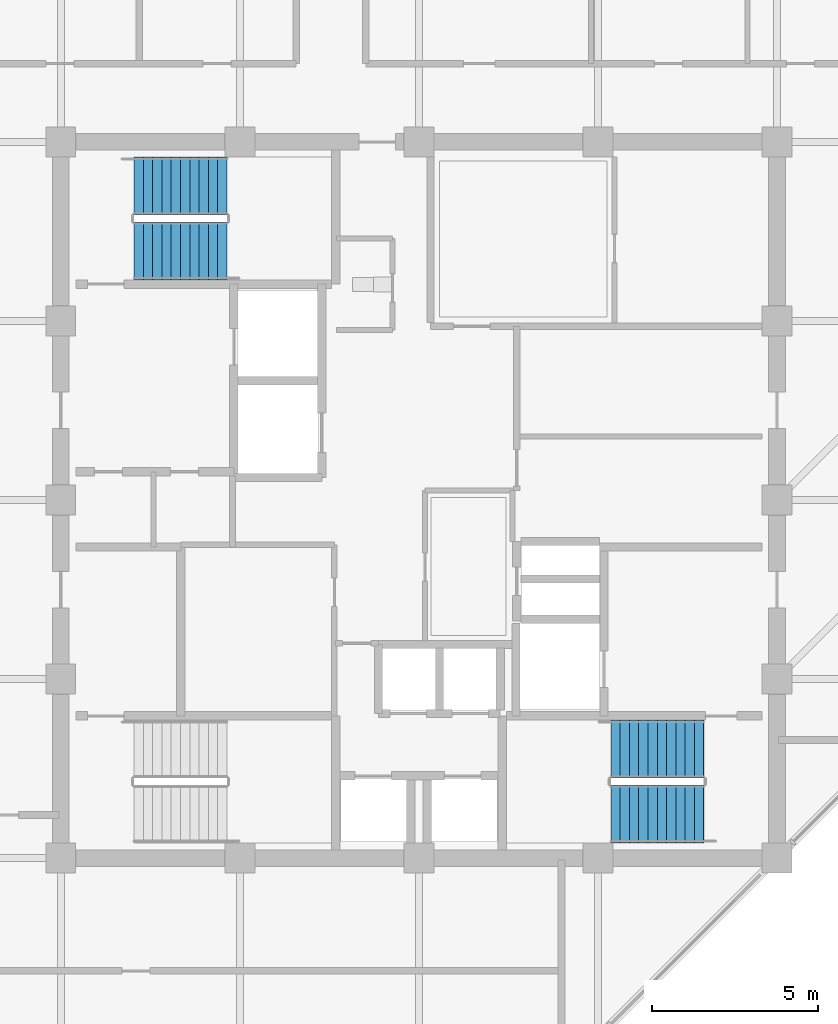
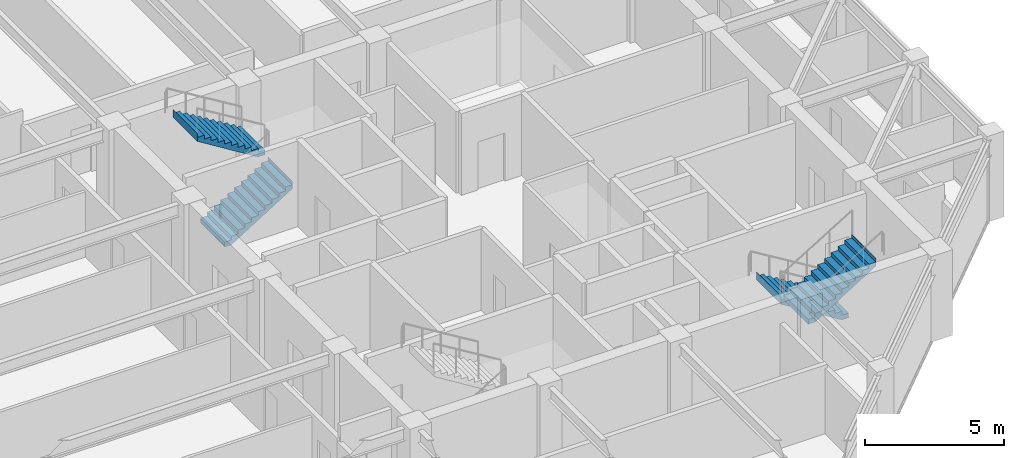
# One storey, part 29 of 31: 4 stair flights, 2 elements without a shape of their own.
"""IFC4 building model written with IfcOpenShell, lengths in metres."""

from ifc_helpers import new_model, si_unit, direction, frame, origin, place, context, subcontext, project, spatial, polyline, outline, extrude, material, type_object, element, aggregate, save


model = new_model("IFC4")

# Units and contexts
model_context = context("Model", 3, precision=1e-05, world=origin(), true_north=direction((0.0, 1.0)))
body_context = subcontext(model_context, "Body", "Model", "MODEL_VIEW")
ifc_project = project(units=[si_unit("LENGTHUNIT", "METRE"), si_unit("AREAUNIT", "SQUARE_METRE"), si_unit("VOLUMEUNIT", "CUBIC_METRE"), si_unit("PLANEANGLEUNIT", "RADIAN"), si_unit("MASSUNIT", "GRAM", prefix="KILO")], contexts=[model_context])

# Site, building, storey
site_placement = place(None, origin())
site = spatial("IfcSite", under=ifc_project, at=site_placement, CompositionType="ELEMENT")
building_placement = place(site_placement, origin())
building = spatial("IfcBuilding", under=site, at=building_placement, Name="Surkhivell Harbour Commons", CompositionType="ELEMENT")
storey_placement = place(building_placement, frame((0.0, 0.0, 288.75)))
storey = spatial("IfcBuildingStorey", under=building, at=storey_placement, Name="L75", CompositionType="ELEMENT", Elevation=288.75)

# Stair, stair flights
ifc_material = material(Name="Precast concrete C45/55", Category="concrete")
stair_type = type_object("IfcStairType", Name="STR-DL-375", PredefinedType="HALF_TURN_STAIR", material=ifc_material)
stair_1_placement = place(storey_placement, origin())
stair_1 = element("IfcStair", 1, at=stair_1_placement, inside=storey, type_object=stair_type, Name="L75 Core Exit Stair ST1", PredefinedType="HALF_TURN_STAIR")
stair_flight_type = type_object("IfcStairFlightType", Name="STF-DL-375", PredefinedType="STRAIGHT", material=ifc_material)
stair_flight_1_placement = place(storey_placement, frame((-8.590087890625, 7.514892578125, 0.0), z_axis=(0.0, 0.0, 1.0), x_axis=(1.0, 0.0, 0.0)))
stair_flight_1 = element("IfcStairFlight", 2, at=stair_flight_1_placement, type_object=stair_flight_type, Name="ST1 flight 1", NumberOfRisers=11, NumberOfTreads=10, PredefinedType="STRAIGHT", RiserHeight=0.170454545, TreadLength=0.28, context=body_context, shape_type="SweptSolid", body=[
    extrude(outline(polyline([(-0.0029296875, -0.034912109375), (-0.0029296875, 0.0), (0.0, 0.0), (0.0, 0.17041015625), (0.280029296875, 0.17041015625), (0.280029296875, 0.3408203125), (0.56005859375, 0.3408203125), (0.56005859375, 0.511474609375), (0.840087890625, 0.511474609375), (0.840087890625, 0.681884765625), (1.1201171875, 0.681884765625), (1.1201171875, 0.852294921875), (1.39990234375, 0.852294921875), (1.39990234375, 1.022705078125), (1.679931640625, 1.022705078125), (1.679931640625, 1.193115234375), (1.9599609375, 1.193115234375), (1.9599609375, 1.363525390625), (2.239990234375, 1.363525390625), (2.239990234375, 1.5341796875), (2.52001953125, 1.5341796875), (2.52001953125, 1.70458984375), (2.800048828125, 1.70458984375), (2.800048828125, 1.875), (2.802978515625, 1.875), (2.802978515625, 1.529052734375), (0.288330078125, -0.034912109375), (-0.0029296875, -0.034912109375)])), frame((0.0, 0.875, 0.0), z_axis=(0.0, -1.0, 0.0), x_axis=(1.0, 0.0, 0.0)), (0.0, 0.0, 1.0), 1.75),
])
stair_flight_2_placement = place(storey_placement, frame((-5.7900390625, 9.465087890625, 1.875), z_axis=(0.0, 0.0, 1.0), x_axis=(-1.0, 0.0, 0.0)))
stair_flight_2 = element("IfcStairFlight", 3, at=stair_flight_2_placement, type_object=stair_flight_type, Name="ST1 flight 2", NumberOfRisers=11, NumberOfTreads=10, PredefinedType="STRAIGHT", RiserHeight=0.170454545, TreadLength=0.28, context=body_context, shape_type="SweptSolid", body=[
    extrude(outline(polyline([(-0.0029296875, -0.034912109375), (-0.0029296875, 0.0), (0.0, 0.0), (0.0, 0.17041015625), (0.280029296875, 0.17041015625), (0.280029296875, 0.3408203125), (0.56005859375, 0.3408203125), (0.56005859375, 0.511474609375), (0.840087890625, 0.511474609375), (0.840087890625, 0.681884765625), (1.1201171875, 0.681884765625), (1.1201171875, 0.852294921875), (1.39990234375, 0.852294921875), (1.39990234375, 1.022705078125), (1.679931640625, 1.022705078125), (1.679931640625, 1.193115234375), (1.9599609375, 1.193115234375), (1.9599609375, 1.363525390625), (2.239990234375, 1.363525390625), (2.239990234375, 1.5341796875), (2.52001953125, 1.5341796875), (2.52001953125, 1.70458984375), (2.800048828125, 1.70458984375), (2.800048828125, 1.875), (2.802978515625, 1.875), (2.802978515625, 1.529052734375), (0.288330078125, -0.034912109375), (-0.0029296875, -0.034912109375)])), frame((0.0, 0.875, 0.0), z_axis=(0.0, -1.0, 0.0), x_axis=(1.0, 0.0, 0.0)), (0.0, 0.0, 1.0), 1.75),
])
aggregate(stair_1, [stair_flight_1, stair_flight_2])

stair_2_placement = place(storey_placement, origin())
stair_2 = element("IfcStair", 4, at=stair_2_placement, inside=storey, type_object=stair_type, Name="L75 Core Exit Stair ST2", PredefinedType="HALF_TURN_STAIR")
stair_flight_3_placement = place(storey_placement, frame((8.590087890625, -7.514892578125, 0.0), z_axis=(0.0, 0.0, 1.0), x_axis=(-1.0, 0.0, 0.0)))
stair_flight_3 = element("IfcStairFlight", 5, at=stair_flight_3_placement, type_object=stair_flight_type, Name="ST2 flight 1", NumberOfRisers=11, NumberOfTreads=10, PredefinedType="STRAIGHT", RiserHeight=0.170454545, TreadLength=0.28, context=body_context, shape_type="SweptSolid", body=[
    extrude(outline(polyline([(-0.0029296875, -0.034912109375), (-0.0029296875, 0.0), (0.0, 0.0), (0.0, 0.17041015625), (0.280029296875, 0.17041015625), (0.280029296875, 0.3408203125), (0.56005859375, 0.3408203125), (0.56005859375, 0.511474609375), (0.840087890625, 0.511474609375), (0.840087890625, 0.681884765625), (1.1201171875, 0.681884765625), (1.1201171875, 0.852294921875), (1.39990234375, 0.852294921875), (1.39990234375, 1.022705078125), (1.679931640625, 1.022705078125), (1.679931640625, 1.193115234375), (1.9599609375, 1.193115234375), (1.9599609375, 1.363525390625), (2.239990234375, 1.363525390625), (2.239990234375, 1.5341796875), (2.52001953125, 1.5341796875), (2.52001953125, 1.70458984375), (2.800048828125, 1.70458984375), (2.800048828125, 1.875), (2.802978515625, 1.875), (2.802978515625, 1.529052734375), (0.288330078125, -0.034912109375), (-0.0029296875, -0.034912109375)])), frame((0.0, 0.875, 0.0), z_axis=(0.0, -1.0, 0.0), x_axis=(1.0, 0.0, 0.0)), (0.0, 0.0, 1.0), 1.75),
])
stair_flight_4_placement = place(storey_placement, frame((5.7900390625, -9.465087890625, 1.875), z_axis=(0.0, 0.0, 1.0), x_axis=(1.0, 0.0, 0.0)))
stair_flight_4 = element("IfcStairFlight", 6, at=stair_flight_4_placement, type_object=stair_flight_type, Name="ST2 flight 2", NumberOfRisers=11, NumberOfTreads=10, PredefinedType="STRAIGHT", RiserHeight=0.170454545, TreadLength=0.28, context=body_context, shape_type="SweptSolid", body=[
    extrude(outline(polyline([(-0.0029296875, -0.034912109375), (-0.0029296875, 0.0), (0.0, 0.0), (0.0, 0.17041015625), (0.280029296875, 0.17041015625), (0.280029296875, 0.3408203125), (0.56005859375, 0.3408203125), (0.56005859375, 0.511474609375), (0.840087890625, 0.511474609375), (0.840087890625, 0.681884765625), (1.1201171875, 0.681884765625), (1.1201171875, 0.852294921875), (1.39990234375, 0.852294921875), (1.39990234375, 1.022705078125), (1.679931640625, 1.022705078125), (1.679931640625, 1.193115234375), (1.9599609375, 1.193115234375), (1.9599609375, 1.363525390625), (2.239990234375, 1.363525390625), (2.239990234375, 1.5341796875), (2.52001953125, 1.5341796875), (2.52001953125, 1.70458984375), (2.800048828125, 1.70458984375), (2.800048828125, 1.875), (2.802978515625, 1.875), (2.802978515625, 1.529052734375), (0.288330078125, -0.034912109375), (-0.0029296875, -0.034912109375)])), frame((0.0, 0.875, 0.0), z_axis=(0.0, -1.0, 0.0), x_axis=(1.0, 0.0, 0.0)), (0.0, 0.0, 1.0), 1.75),
])
aggregate(stair_2, [stair_flight_3, stair_flight_4])

save(model, "model.ifc")
